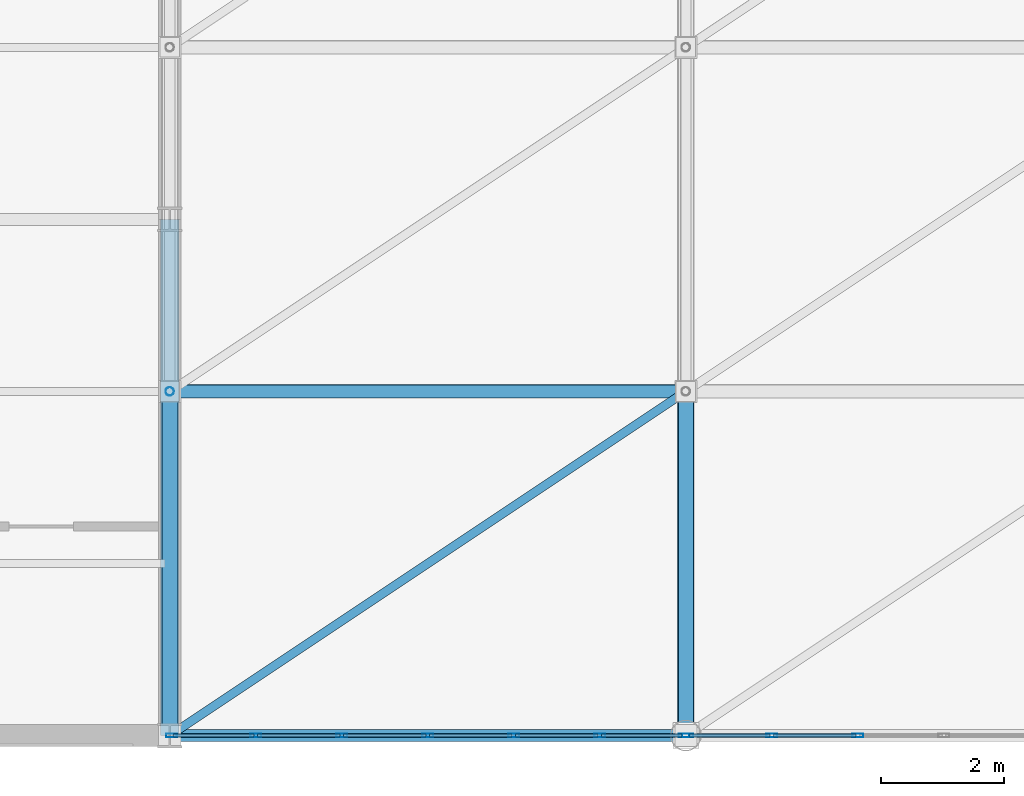
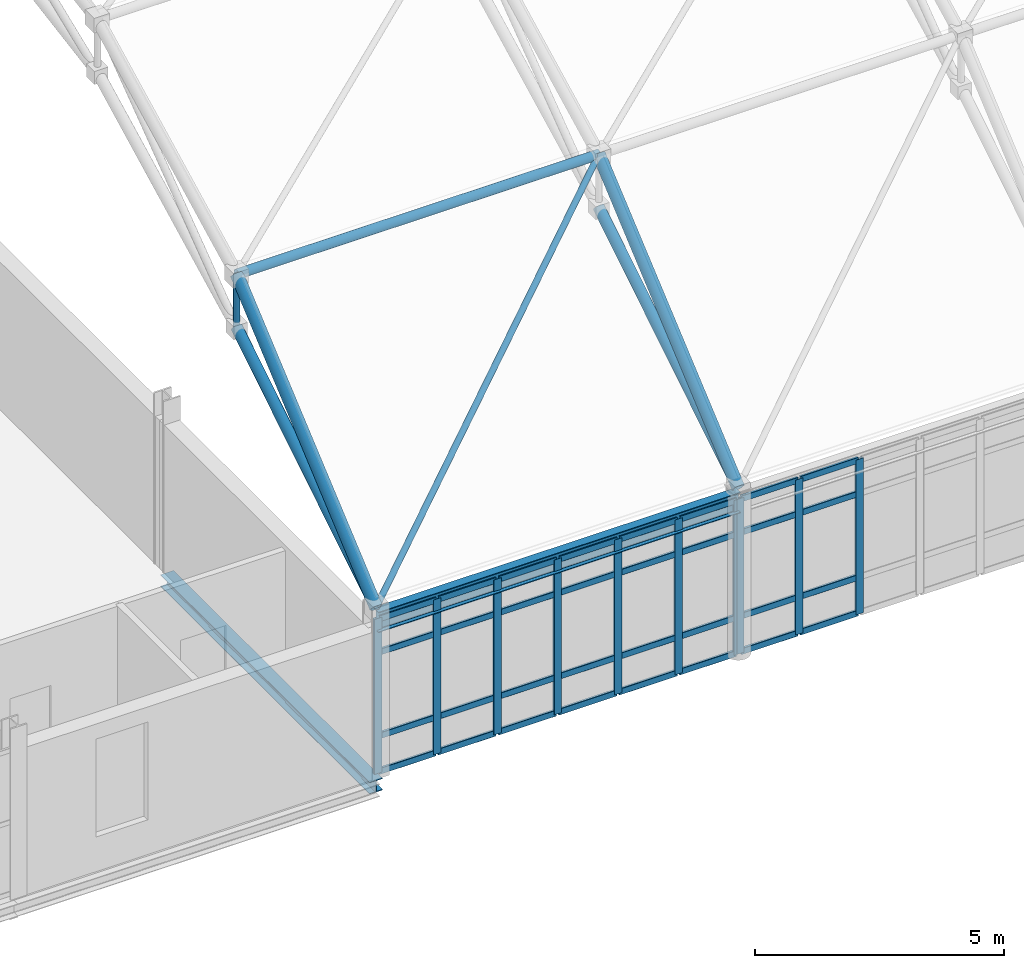
# One storey, part 33 of 184: 49 members, 2 beams, 2 elements without a shape of their own.
"""IFC4 building model written with IfcOpenShell, lengths in metres."""

import ifcopenshell
import ifcopenshell.guid

model = None  # the IFC model being written
_history = None  # IfcOwnerHistory: only IFC2X3 demands one
_inside = {}  # id of a spatial element -> (the spatial element, [elements in it])
_under = {}  # id of a project, library or spatial element -> (it, [spatial elements below it])
_declared = {}  # id of a project -> (the project, [libraries it declares])
_typed = {}  # id of a type object -> (the type object, [elements of that type])
_made_of = {}  # id of a material, layer set ... -> (it, [elements and type objects made of it])


def new_model(schema):
    """Start an empty IFC model of exactly this schema.

    Asked for "IFC4X3", IfcOpenShell would pick the latest addendum, in which some entities
    have other attributes; the version numbers below select the first issue.
    IFC2X3 requires an IfcOwnerHistory on every rooted entity: one is made here for all.
    """
    global model, _history
    if schema == "IFC4X3":
        model = ifcopenshell.file(schema_version=(4, 3, 0, 0))
    else:
        model = ifcopenshell.file(schema=schema)
    _inside.clear()
    _under.clear()
    _declared.clear()
    _typed.clear()
    _made_of.clear()
    _history = None
    if model.schema == "IFC2X3":
        org = make("IfcOrganization", Name="unknown")
        user = make(
            "IfcPersonAndOrganization",
            ThePerson=make("IfcPerson", FamilyName="unknown"),
            TheOrganization=org,
        )
        app = make(
            "IfcApplication",
            ApplicationDeveloper=org,
            Version="unknown",
            ApplicationFullName="unknown",
            ApplicationIdentifier="unknown",
        )
        _history = make(
            "IfcOwnerHistory",
            OwningUser=user,
            OwningApplication=app,
            ChangeAction="ADDED",
            CreationDate=0,
        )
    return model


def make(cls, **values):
    """One entity of the class cls with the attributes given. An attribute that is None is left unset."""
    return model.create_entity(
        cls, **{name: value for name, value in values.items() if value is not None}
    )


def rooted(cls, **values):
    """An entity with a GlobalId (a new one), such as an element, a storey or a relation."""
    return make(cls, GlobalId=ifcopenshell.guid.new(), OwnerHistory=_history, **values)


def si_unit(unit_type, name, prefix=None):
    """IfcSIUnit, for example si_unit("LENGTHUNIT", "METRE", prefix="MILLI")."""
    return make("IfcSIUnit", UnitType=unit_type, Prefix=prefix, Name=name)


def assignment(units):
    """IfcUnitAssignment: the units of a project."""
    return None if units is None else make("IfcUnitAssignment", Units=units)


def point(xyz):
    """IfcCartesianPoint."""
    return None if xyz is None else make("IfcCartesianPoint", Coordinates=xyz)


def direction(xyz):
    """IfcDirection."""
    return None if xyz is None else make("IfcDirection", DirectionRatios=xyz)


def frame(location, z_axis=None, x_axis=None):
    """IfcAxis2Placement3D, a coordinate frame: its origin and axes. An axis left out is left unset."""
    return make(
        "IfcAxis2Placement3D",
        Location=point(location),
        Axis=direction(z_axis),
        RefDirection=direction(x_axis),
    )


def frame_2d(location, x_axis=None):
    """IfcAxis2Placement2D, a coordinate frame in the plane: its origin and x axis."""
    return make(
        "IfcAxis2Placement2D", Location=point(location), RefDirection=direction(x_axis)
    )


def origin():
    """The frame at (0, 0, 0) with its axes left unset."""
    return frame((0.0, 0.0, 0.0))


def origin_2d():
    """The frame at (0, 0) in the plane with its x axis left unset."""
    return frame_2d((0.0, 0.0))


def place(relative_to, where):
    """IfcLocalPlacement: puts the frame where relative to a parent placement (None: the world)."""
    return make(
        "IfcLocalPlacement", PlacementRelTo=relative_to, RelativePlacement=where
    )


def context(
    kind, dimensions, precision=None, world=None, true_north=None, identifier=None
):
    """IfcGeometricRepresentationContext, for example the 3D "Model" context."""
    return make(
        "IfcGeometricRepresentationContext",
        ContextIdentifier=identifier,
        ContextType=kind,
        CoordinateSpaceDimension=dimensions,
        Precision=precision,
        WorldCoordinateSystem=world,
        TrueNorth=true_north,
    )


def subcontext(parent, identifier, kind, view, scale=None):
    """IfcGeometricRepresentationSubContext, for example "Body" below "Model"."""
    return make(
        "IfcGeometricRepresentationSubContext",
        ContextIdentifier=identifier,
        ContextType=kind,
        ParentContext=parent,
        TargetScale=scale,
        TargetView=view,
    )


def project(units=None, contexts=None):
    """IfcProject with its units and contexts."""
    return rooted(
        "IfcProject",
        Name="project",
        RepresentationContexts=contexts,
        UnitsInContext=assignment(units),
    )


def spatial(cls, under=None, at=None, **own):
    """A site, building, storey or space (cls), placed at a placement, below another one or the project."""
    s = rooted(cls, ObjectPlacement=at, **own)
    if under is not None:
        _under.setdefault(under.id(), (under, []))[1].append(s)
    return s


def profile(cls, at=None, kind="AREA", **sizes):
    """A parametric profile (cls). Its sizes go by their IFC names, for example OverallWidth=200.0."""
    return make(cls, ProfileType=kind, Position=at, **sizes)


def hollow_rectangle(**sizes):
    """IfcRectangleHollowProfileDef."""
    return profile("IfcRectangleHollowProfileDef", **sizes)


def hollow_circle(**sizes):
    """IfcCircleHollowProfileDef."""
    return profile("IfcCircleHollowProfileDef", **sizes)


def i_section(**sizes):
    """IfcIShapeProfileDef."""
    return profile("IfcIShapeProfileDef", **sizes)


def extrude(swept, where, along, depth):
    """IfcExtrudedAreaSolid: the profile swept, set in the frame where, extruded along a direction by depth."""
    return make(
        "IfcExtrudedAreaSolid",
        SweptArea=swept,
        Position=where,
        ExtrudedDirection=direction(along),
        Depth=depth,
    )


def shape(context_of_items, identifier, shape_type, items):
    """IfcShapeRepresentation: the items that make up one representation, for example the "Body"."""
    return make(
        "IfcShapeRepresentation",
        ContextOfItems=context_of_items,
        RepresentationIdentifier=identifier,
        RepresentationType=shape_type,
        Items=items,
    )


def material(Name=None, Category=None):
    """IfcMaterial."""
    return make("IfcMaterial", Name=Name, Category=Category)


def layer(
    of_material, thickness, ventilated=None, Name=None, Category=None, Priority=None
):
    """IfcMaterialLayer: one layer of a wall or slab, of a material (None: an air gap)."""
    return make(
        "IfcMaterialLayer",
        Material=of_material,
        LayerThickness=thickness,
        IsVentilated=ventilated,
        Name=Name,
        Category=Category,
        Priority=Priority,
    )


def layer_set(layers, Name=None):
    """IfcMaterialLayerSet."""
    return make("IfcMaterialLayerSet", MaterialLayers=layers, LayerSetName=Name)


def material_profile(
    of_material, cross_section, Name=None, Category=None, Priority=None
):
    """IfcMaterialProfile: a cross section and its material."""
    return make(
        "IfcMaterialProfile",
        Name=Name,
        Material=of_material,
        Profile=cross_section,
        Priority=Priority,
        Category=Category,
    )


def profile_set(profiles, Name=None, composite=None):
    """IfcMaterialProfileSet."""
    return make(
        "IfcMaterialProfileSet",
        Name=Name,
        MaterialProfiles=profiles,
        CompositeProfile=composite,
    )


def made_of(thing, what):
    """Note that an element or type object is made of a material, layer set ...; save() writes the relation."""
    if what is not None:
        _made_of.setdefault(what.id(), (what, []))[1].append(thing)
    return thing


def type_object(cls, material=None, **own):
    """A type object (cls), such as IfcWallType, which elements share."""
    return made_of(rooted(cls, **own), material)


def element(
    cls,
    number,
    at=None,
    inside=None,
    cuts=None,
    type_object=None,
    material=None,
    context=None,
    identifier="Body",
    shape_type=None,
    held_by="IfcProductDefinitionShape",
    body=None,
    shapes=None,
    **own,
):
    """One element of the class cls, such as IfcWall. Its Tag is "e" and its number.

    at: its placement. inside: the storey or other place that contains it. cuts: it is an
    opening in that element (IfcRelVoidsElement). A single representation is given by context,
    identifier, shape_type and body (its items); several are given by shapes. held_by: the class
    of the entity that holds the representations. save() writes the other relations.
    """
    e = rooted(cls, Tag="e%d" % number, ObjectPlacement=at, **own)
    if body is not None:
        shapes = [shape(context, identifier, shape_type, body)]
    if shapes is not None:
        e.Representation = make(held_by, Representations=shapes)
    if inside is not None:
        _inside.setdefault(inside.id(), (inside, []))[1].append(e)
    if cuts is not None:
        rooted(
            "IfcRelVoidsElement", RelatingBuildingElement=cuts, RelatedOpeningElement=e
        )
    if type_object is not None:
        _typed.setdefault(type_object.id(), (type_object, []))[1].append(e)
    return made_of(e, material)


def aggregate(whole, parts):
    """IfcRelAggregates: a whole, such as a stair, and the parts it consists of."""
    return rooted("IfcRelAggregates", RelatingObject=whole, RelatedObjects=parts)


def save(model, path):
    """Write the relations noted so far, then the file.

    IfcRelAggregates (storeys below a building ...), IfcRelContainedInSpatialStructure (elements
    in a storey), IfcRelDefinesByType, IfcRelAssociatesMaterial and IfcRelDeclares: one each for
    every whole, place, type object, material and project.
    """
    for whole, parts in _under.values():
        aggregate(whole, parts)
    for where, things in _inside.values():
        rooted(
            "IfcRelContainedInSpatialStructure",
            RelatedElements=things,
            RelatingStructure=where,
        )
    for kind, things in _typed.values():
        rooted("IfcRelDefinesByType", RelatedObjects=things, RelatingType=kind)
    for what, things in _made_of.values():
        rooted("IfcRelAssociatesMaterial", RelatedObjects=things, RelatingMaterial=what)
    for by, libraries in _declared.values():
        rooted("IfcRelDeclares", RelatingContext=by, RelatedDefinitions=libraries)
    model.write(path)


model = new_model("IFC4")

# Units and contexts
model_context = context("Model", 3, precision=1e-05, world=origin(), true_north=direction((0.0, 1.0)))
body_context = subcontext(model_context, "Body", "Model", "MODEL_VIEW")
ifc_project = project(units=[si_unit("LENGTHUNIT", "METRE"), si_unit("AREAUNIT", "SQUARE_METRE"), si_unit("VOLUMEUNIT", "CUBIC_METRE"), si_unit("PLANEANGLEUNIT", "RADIAN"), si_unit("MASSUNIT", "GRAM", prefix="KILO")], contexts=[model_context])

# Site, building, storey
site_placement = place(None, origin())
site = spatial("IfcSite", under=ifc_project, at=site_placement, CompositionType="ELEMENT")
building_placement = place(site_placement, origin())
building = spatial("IfcBuilding", under=site, at=building_placement, Name="Qalvenar Corner Mobility Hub", CompositionType="ELEMENT")
storey_placement = place(building_placement, frame((0.0, 0.0, 9.0)))
storey = spatial("IfcBuildingStorey", under=building, at=storey_placement, Name="L02", CompositionType="ELEMENT", Elevation=9.0)

# Beams
ifc_material_1 = material(Name="Steel S355", Category="steel")
ifc_material_profile_1 = material_profile(ifc_material_1, i_section(OverallWidth=0.199951171875, OverallDepth=0.5, WebThickness=0.01025390625, FlangeThickness=0.01611328125, FilletRadius=0.02099609375, at=origin_2d()), Name="IPE500")
ifc_profile_set_1 = profile_set([ifc_material_profile_1], Name="Steel S355")
beam_type_1 = type_object("IfcBeamType", Name="BM-IPE500", PredefinedType="BEAM", material=ifc_profile_set_1)
beam_1_placement = place(storey_placement, frame((50.39990234375, 0.0, 3.75), z_axis=(1.0, 0.0, 0.0), x_axis=(0.0, 1.0, 0.0)))
element("IfcBeam", 1, at=beam_1_placement, inside=storey, type_object=beam_type_1, Name="Space Frame Ring Beam SFRB-1-0", PredefinedType="BEAM", context=body_context, shape_type="SweptSolid", body=[
    extrude(i_section(OverallWidth=0.199951171875, OverallDepth=0.5, WebThickness=0.01025390625, FlangeThickness=0.01611328125, FilletRadius=0.02099609375, at=origin_2d()), origin(), (0.0, 0.0, 1.0), 8.400146484375),
])
ifc_material_profile_2 = material_profile(ifc_material_1, i_section(OverallWidth=0.300048828125, OverallDepth=0.2900390625, WebThickness=0.008544921875, FlangeThickness=0.013916015625, FilletRadius=0.027099609375, at=origin_2d()), Name="HEA300")
ifc_profile_set_2 = profile_set([ifc_material_profile_2], Name="Steel S355")
beam_type_2 = type_object("IfcBeamType", Name="BM-SPN300", PredefinedType="SPANDREL", material=ifc_profile_set_2)
beam_2_placement = place(storey_placement, frame((50.39990234375, 0.0, -0.324951171875), z_axis=(0.0, 1.0, 0.0), x_axis=(-1.0, 0.0, 0.0)))
element("IfcBeam", 2, at=beam_2_placement, inside=storey, type_object=beam_type_2, Name="Primary Steel Girder GY-1607", PredefinedType="SPANDREL", context=body_context, shape_type="SweptSolid", body=[
    extrude(i_section(OverallWidth=0.300048828125, OverallDepth=0.2900390625, WebThickness=0.008544921875, FlangeThickness=0.013916015625, FilletRadius=0.027099609375, at=origin_2d()), origin(), (0.0, 0.0, 1.0), 8.39990234375),
])

# Curtain wall, members
ifc_material_2 = material(Name="Anodised Aluminium and Low-E Glazing", Category="aluminium")
ifc_layer = layer(ifc_material_2, 0.179931640625)
ifc_layer_set = layer_set([ifc_layer], Name="Anodised Aluminium and Low-E Glazing")
curtain_wall_type = type_object("IfcCurtainWallType", Name="CW-CONC-84X42", PredefinedType="NOTDEFINED", material=ifc_layer_set)
curtain_wall_1_placement = place(storey_placement, origin())
curtain_wall_1 = element("IfcCurtainWall", 3, at=curtain_wall_1_placement, inside=storey, type_object=curtain_wall_type, Name="Glazed Curtain Wall CW-V1-L02-S0", PredefinedType="NOTDEFINED")
ifc_material_3 = material(Name="Anodised Aluminium 6063-T6", Category="aluminium")
ifc_material_profile_3 = material_profile(ifc_material_3, hollow_rectangle(XDim=0.06494140625, YDim=0.179931640625, WallThickness=0.00390625, InnerFilletRadius=0.00390625, OuterFilletRadius=0.008056640625, at=origin_2d()), Name="RHS180x65x4")
ifc_profile_set_3 = profile_set([ifc_material_profile_3], Name="Anodised Aluminium 6063-T6")
member_type_1 = type_object("IfcMemberType", Name="CW-MUL180", PredefinedType="MULLION", material=ifc_profile_set_3)
member_1_placement = place(storey_placement, frame((50.429931640625, 0.0, 0.0), z_axis=(0.0, 0.0, 1.0), x_axis=(0.0, 1.0, 0.0)))
member_1 = element("IfcMember", 4, at=member_1_placement, type_object=member_type_1, Name="CW-02 mullion 1", PredefinedType="MULLION", context=body_context, shape_type="SweptSolid", body=[
    extrude(hollow_rectangle(XDim=0.06494140625, YDim=0.179931640625, WallThickness=0.00390625, InnerFilletRadius=0.00390625, OuterFilletRadius=0.008056640625, at=origin_2d()), origin(), (0.0, 0.0, 1.0), 3.800048828125),
])
member_2_placement = place(storey_placement, frame((51.800048828125, 0.0, 0.0), z_axis=(0.0, 0.0, 1.0), x_axis=(0.0, 1.0, 0.0)))
member_2 = element("IfcMember", 5, at=member_2_placement, type_object=member_type_1, Name="CW-02 mullion 2", PredefinedType="MULLION", context=body_context, shape_type="SweptSolid", body=[
    extrude(hollow_rectangle(XDim=0.06494140625, YDim=0.179931640625, WallThickness=0.00390625, InnerFilletRadius=0.00390625, OuterFilletRadius=0.008056640625, at=origin_2d()), origin(), (0.0, 0.0, 1.0), 3.800048828125),
])
member_3_placement = place(storey_placement, frame((53.199951171875, 0.0, 0.0), z_axis=(0.0, 0.0, 1.0), x_axis=(0.0, 1.0, 0.0)))
member_3 = element("IfcMember", 6, at=member_3_placement, type_object=member_type_1, Name="CW-02 mullion 3", PredefinedType="MULLION", context=body_context, shape_type="SweptSolid", body=[
    extrude(hollow_rectangle(XDim=0.06494140625, YDim=0.179931640625, WallThickness=0.00390625, InnerFilletRadius=0.00390625, OuterFilletRadius=0.008056640625, at=origin_2d()), origin(), (0.0, 0.0, 1.0), 3.800048828125),
])
member_4_placement = place(storey_placement, frame((54.60009765625, 0.0, 0.0), z_axis=(0.0, 0.0, 1.0), x_axis=(0.0, 1.0, 0.0)))
member_4 = element("IfcMember", 7, at=member_4_placement, type_object=member_type_1, Name="CW-02 mullion 4", PredefinedType="MULLION", context=body_context, shape_type="SweptSolid", body=[
    extrude(hollow_rectangle(XDim=0.06494140625, YDim=0.179931640625, WallThickness=0.00390625, InnerFilletRadius=0.00390625, OuterFilletRadius=0.008056640625, at=origin_2d()), origin(), (0.0, 0.0, 1.0), 3.800048828125),
])
member_5_placement = place(storey_placement, frame((56.0, 0.0, 0.0), z_axis=(0.0, 0.0, 1.0), x_axis=(0.0, 1.0, 0.0)))
member_5 = element("IfcMember", 8, at=member_5_placement, type_object=member_type_1, Name="CW-02 mullion 5", PredefinedType="MULLION", context=body_context, shape_type="SweptSolid", body=[
    extrude(hollow_rectangle(XDim=0.06494140625, YDim=0.179931640625, WallThickness=0.00390625, InnerFilletRadius=0.00390625, OuterFilletRadius=0.008056640625, at=origin_2d()), origin(), (0.0, 0.0, 1.0), 3.800048828125),
])
member_6_placement = place(storey_placement, frame((57.39990234375, 0.0, 0.0), z_axis=(0.0, 0.0, 1.0), x_axis=(0.0, 1.0, 0.0)))
member_6 = element("IfcMember", 9, at=member_6_placement, type_object=member_type_1, Name="CW-02 mullion 6", PredefinedType="MULLION", context=body_context, shape_type="SweptSolid", body=[
    extrude(hollow_rectangle(XDim=0.06494140625, YDim=0.179931640625, WallThickness=0.00390625, InnerFilletRadius=0.00390625, OuterFilletRadius=0.008056640625, at=origin_2d()), origin(), (0.0, 0.0, 1.0), 3.800048828125),
])
member_7_placement = place(storey_placement, frame((58.77001953125, 0.0, 0.0), z_axis=(0.0, 0.0, 1.0), x_axis=(0.0, 1.0, 0.0)))
member_7 = element("IfcMember", 10, at=member_7_placement, type_object=member_type_1, Name="CW-02 mullion 7", PredefinedType="MULLION", context=body_context, shape_type="SweptSolid", body=[
    extrude(hollow_rectangle(XDim=0.06494140625, YDim=0.179931640625, WallThickness=0.00390625, InnerFilletRadius=0.00390625, OuterFilletRadius=0.008056640625, at=origin_2d()), origin(), (0.0, 0.0, 1.0), 3.800048828125),
])

curtain_wall_2_placement = place(storey_placement, origin())
curtain_wall_2 = element("IfcCurtainWall", 11, at=curtain_wall_2_placement, inside=storey, type_object=curtain_wall_type, Name="Glazed Curtain Wall CW-V1-L02-S1", PredefinedType="NOTDEFINED")
member_8_placement = place(storey_placement, frame((58.830078125, 0.0, 0.0), z_axis=(0.0, 0.0, 1.0), x_axis=(0.0, 1.0, 0.0)))
member_8 = element("IfcMember", 12, at=member_8_placement, type_object=member_type_1, Name="CW-02 mullion 1", PredefinedType="MULLION", context=body_context, shape_type="SweptSolid", body=[
    extrude(hollow_rectangle(XDim=0.06494140625, YDim=0.179931640625, WallThickness=0.00390625, InnerFilletRadius=0.00390625, OuterFilletRadius=0.008056640625, at=origin_2d()), origin(), (0.0, 0.0, 1.0), 3.800048828125),
])
member_9_placement = place(storey_placement, frame((60.199951171875, 0.0, 0.0), z_axis=(0.0, 0.0, 1.0), x_axis=(0.0, 1.0, 0.0)))
member_9 = element("IfcMember", 13, at=member_9_placement, type_object=member_type_1, Name="CW-02 mullion 2", PredefinedType="MULLION", context=body_context, shape_type="SweptSolid", body=[
    extrude(hollow_rectangle(XDim=0.06494140625, YDim=0.179931640625, WallThickness=0.00390625, InnerFilletRadius=0.00390625, OuterFilletRadius=0.008056640625, at=origin_2d()), origin(), (0.0, 0.0, 1.0), 3.800048828125),
])
member_10_placement = place(storey_placement, frame((61.60009765625, 0.0, 0.0), z_axis=(0.0, 0.0, 1.0), x_axis=(0.0, 1.0, 0.0)))
member_10 = element("IfcMember", 14, at=member_10_placement, type_object=member_type_1, Name="CW-02 mullion 3", PredefinedType="MULLION", context=body_context, shape_type="SweptSolid", body=[
    extrude(hollow_rectangle(XDim=0.06494140625, YDim=0.179931640625, WallThickness=0.00390625, InnerFilletRadius=0.00390625, OuterFilletRadius=0.008056640625, at=origin_2d()), origin(), (0.0, 0.0, 1.0), 3.800048828125),
])

# Member
ifc_material_profile_4 = material_profile(ifc_material_3, hollow_rectangle(XDim=0.06005859375, YDim=0.14990234375, WallThickness=0.00341796875, InnerFilletRadius=0.00341796875, OuterFilletRadius=0.007080078125, at=origin_2d()), Name="RHS150x60x3.5")
ifc_profile_set_4 = profile_set([ifc_material_profile_4], Name="Anodised Aluminium 6063-T6")
member_type_2 = type_object("IfcMemberType", Name="CW-TRN150", PredefinedType="USERDEFINED", material=ifc_profile_set_4)
member_11_placement = place(storey_placement, frame((50.4599609375, 0.0, 0.027587890625), z_axis=(1.0, 0.0, 0.0), x_axis=(0.0, 1.0, 0.0)))
member_11 = element("IfcMember", 15, at=member_11_placement, type_object=member_type_2, Name="CW-02 transom 1.1", ObjectType="TRANSOM", PredefinedType="USERDEFINED", context=body_context, shape_type="SweptSolid", body=[
    extrude(hollow_rectangle(XDim=0.06005859375, YDim=0.14990234375, WallThickness=0.00341796875, InnerFilletRadius=0.00341796875, OuterFilletRadius=0.007080078125, at=origin_2d()), origin(), (0.0, 0.0, 1.0), 1.31005859375),
])

member_12_placement = place(storey_placement, frame((50.4599609375, 0.0, 0.89990234375), z_axis=(1.0, 0.0, 0.0), x_axis=(0.0, 1.0, 0.0)))
member_12 = element("IfcMember", 16, at=member_12_placement, type_object=member_type_2, Name="CW-02 transom 1.2", ObjectType="TRANSOM", PredefinedType="USERDEFINED", context=body_context, shape_type="SweptSolid", body=[
    extrude(hollow_rectangle(XDim=0.06005859375, YDim=0.14990234375, WallThickness=0.00341796875, InnerFilletRadius=0.00341796875, OuterFilletRadius=0.007080078125, at=origin_2d()), origin(), (0.0, 0.0, 1.0), 1.31005859375),
])

member_13_placement = place(storey_placement, frame((50.4599609375, 0.0, 2.949951171875), z_axis=(1.0, 0.0, 0.0), x_axis=(0.0, 1.0, 0.0)))
member_13 = element("IfcMember", 17, at=member_13_placement, type_object=member_type_2, Name="CW-02 transom 1.3", ObjectType="TRANSOM", PredefinedType="USERDEFINED", context=body_context, shape_type="SweptSolid", body=[
    extrude(hollow_rectangle(XDim=0.06005859375, YDim=0.14990234375, WallThickness=0.00341796875, InnerFilletRadius=0.00341796875, OuterFilletRadius=0.007080078125, at=origin_2d()), origin(), (0.0, 0.0, 1.0), 1.31005859375),
])

member_14_placement = place(storey_placement, frame((50.4599609375, 0.0, 3.7724609375), z_axis=(1.0, 0.0, 0.0), x_axis=(0.0, 1.0, 0.0)))
member_14 = element("IfcMember", 18, at=member_14_placement, type_object=member_type_2, Name="CW-02 transom 1.4", ObjectType="TRANSOM", PredefinedType="USERDEFINED", context=body_context, shape_type="SweptSolid", body=[
    extrude(hollow_rectangle(XDim=0.06005859375, YDim=0.14990234375, WallThickness=0.00341796875, InnerFilletRadius=0.00341796875, OuterFilletRadius=0.007080078125, at=origin_2d()), origin(), (0.0, 0.0, 1.0), 1.31005859375),
])

member_15_placement = place(storey_placement, frame((51.830078125, 0.0, 0.027587890625), z_axis=(1.0, 0.0, 0.0), x_axis=(0.0, 1.0, 0.0)))
member_15 = element("IfcMember", 19, at=member_15_placement, type_object=member_type_2, Name="CW-02 transom 2.1", ObjectType="TRANSOM", PredefinedType="USERDEFINED", context=body_context, shape_type="SweptSolid", body=[
    extrude(hollow_rectangle(XDim=0.06005859375, YDim=0.14990234375, WallThickness=0.00341796875, InnerFilletRadius=0.00341796875, OuterFilletRadius=0.007080078125, at=origin_2d()), origin(), (0.0, 0.0, 1.0), 1.33984375),
])

member_16_placement = place(storey_placement, frame((51.830078125, 0.0, 0.89990234375), z_axis=(1.0, 0.0, 0.0), x_axis=(0.0, 1.0, 0.0)))
member_16 = element("IfcMember", 20, at=member_16_placement, type_object=member_type_2, Name="CW-02 transom 2.2", ObjectType="TRANSOM", PredefinedType="USERDEFINED", context=body_context, shape_type="SweptSolid", body=[
    extrude(hollow_rectangle(XDim=0.06005859375, YDim=0.14990234375, WallThickness=0.00341796875, InnerFilletRadius=0.00341796875, OuterFilletRadius=0.007080078125, at=origin_2d()), origin(), (0.0, 0.0, 1.0), 1.33984375),
])

member_17_placement = place(storey_placement, frame((51.830078125, 0.0, 2.949951171875), z_axis=(1.0, 0.0, 0.0), x_axis=(0.0, 1.0, 0.0)))
member_17 = element("IfcMember", 21, at=member_17_placement, type_object=member_type_2, Name="CW-02 transom 2.3", ObjectType="TRANSOM", PredefinedType="USERDEFINED", context=body_context, shape_type="SweptSolid", body=[
    extrude(hollow_rectangle(XDim=0.06005859375, YDim=0.14990234375, WallThickness=0.00341796875, InnerFilletRadius=0.00341796875, OuterFilletRadius=0.007080078125, at=origin_2d()), origin(), (0.0, 0.0, 1.0), 1.33984375),
])

member_18_placement = place(storey_placement, frame((51.830078125, 0.0, 3.7724609375), z_axis=(1.0, 0.0, 0.0), x_axis=(0.0, 1.0, 0.0)))
member_18 = element("IfcMember", 22, at=member_18_placement, type_object=member_type_2, Name="CW-02 transom 2.4", ObjectType="TRANSOM", PredefinedType="USERDEFINED", context=body_context, shape_type="SweptSolid", body=[
    extrude(hollow_rectangle(XDim=0.06005859375, YDim=0.14990234375, WallThickness=0.00341796875, InnerFilletRadius=0.00341796875, OuterFilletRadius=0.007080078125, at=origin_2d()), origin(), (0.0, 0.0, 1.0), 1.33984375),
])

member_19_placement = place(storey_placement, frame((53.22998046875, 0.0, 0.027587890625), z_axis=(1.0, 0.0, 0.0), x_axis=(0.0, 1.0, 0.0)))
member_19 = element("IfcMember", 23, at=member_19_placement, type_object=member_type_2, Name="CW-02 transom 3.1", ObjectType="TRANSOM", PredefinedType="USERDEFINED", context=body_context, shape_type="SweptSolid", body=[
    extrude(hollow_rectangle(XDim=0.06005859375, YDim=0.14990234375, WallThickness=0.00341796875, InnerFilletRadius=0.00341796875, OuterFilletRadius=0.007080078125, at=origin_2d()), origin(), (0.0, 0.0, 1.0), 1.340087890625),
])

member_20_placement = place(storey_placement, frame((53.22998046875, 0.0, 0.89990234375), z_axis=(1.0, 0.0, 0.0), x_axis=(0.0, 1.0, 0.0)))
member_20 = element("IfcMember", 24, at=member_20_placement, type_object=member_type_2, Name="CW-02 transom 3.2", ObjectType="TRANSOM", PredefinedType="USERDEFINED", context=body_context, shape_type="SweptSolid", body=[
    extrude(hollow_rectangle(XDim=0.06005859375, YDim=0.14990234375, WallThickness=0.00341796875, InnerFilletRadius=0.00341796875, OuterFilletRadius=0.007080078125, at=origin_2d()), origin(), (0.0, 0.0, 1.0), 1.340087890625),
])

member_21_placement = place(storey_placement, frame((53.22998046875, 0.0, 2.949951171875), z_axis=(1.0, 0.0, 0.0), x_axis=(0.0, 1.0, 0.0)))
member_21 = element("IfcMember", 25, at=member_21_placement, type_object=member_type_2, Name="CW-02 transom 3.3", ObjectType="TRANSOM", PredefinedType="USERDEFINED", context=body_context, shape_type="SweptSolid", body=[
    extrude(hollow_rectangle(XDim=0.06005859375, YDim=0.14990234375, WallThickness=0.00341796875, InnerFilletRadius=0.00341796875, OuterFilletRadius=0.007080078125, at=origin_2d()), origin(), (0.0, 0.0, 1.0), 1.340087890625),
])

member_22_placement = place(storey_placement, frame((53.22998046875, 0.0, 3.7724609375), z_axis=(1.0, 0.0, 0.0), x_axis=(0.0, 1.0, 0.0)))
member_22 = element("IfcMember", 26, at=member_22_placement, type_object=member_type_2, Name="CW-02 transom 3.4", ObjectType="TRANSOM", PredefinedType="USERDEFINED", context=body_context, shape_type="SweptSolid", body=[
    extrude(hollow_rectangle(XDim=0.06005859375, YDim=0.14990234375, WallThickness=0.00341796875, InnerFilletRadius=0.00341796875, OuterFilletRadius=0.007080078125, at=origin_2d()), origin(), (0.0, 0.0, 1.0), 1.340087890625),
])

member_23_placement = place(storey_placement, frame((54.6298828125, 0.0, 0.027587890625), z_axis=(1.0, 0.0, 0.0), x_axis=(0.0, 1.0, 0.0)))
member_23 = element("IfcMember", 27, at=member_23_placement, type_object=member_type_2, Name="CW-02 transom 4.1", ObjectType="TRANSOM", PredefinedType="USERDEFINED", context=body_context, shape_type="SweptSolid", body=[
    extrude(hollow_rectangle(XDim=0.06005859375, YDim=0.14990234375, WallThickness=0.00341796875, InnerFilletRadius=0.00341796875, OuterFilletRadius=0.007080078125, at=origin_2d()), origin(), (0.0, 0.0, 1.0), 1.340087890625),
])

member_24_placement = place(storey_placement, frame((54.6298828125, 0.0, 0.89990234375), z_axis=(1.0, 0.0, 0.0), x_axis=(0.0, 1.0, 0.0)))
member_24 = element("IfcMember", 28, at=member_24_placement, type_object=member_type_2, Name="CW-02 transom 4.2", ObjectType="TRANSOM", PredefinedType="USERDEFINED", context=body_context, shape_type="SweptSolid", body=[
    extrude(hollow_rectangle(XDim=0.06005859375, YDim=0.14990234375, WallThickness=0.00341796875, InnerFilletRadius=0.00341796875, OuterFilletRadius=0.007080078125, at=origin_2d()), origin(), (0.0, 0.0, 1.0), 1.340087890625),
])

member_25_placement = place(storey_placement, frame((54.6298828125, 0.0, 2.949951171875), z_axis=(1.0, 0.0, 0.0), x_axis=(0.0, 1.0, 0.0)))
member_25 = element("IfcMember", 29, at=member_25_placement, type_object=member_type_2, Name="CW-02 transom 4.3", ObjectType="TRANSOM", PredefinedType="USERDEFINED", context=body_context, shape_type="SweptSolid", body=[
    extrude(hollow_rectangle(XDim=0.06005859375, YDim=0.14990234375, WallThickness=0.00341796875, InnerFilletRadius=0.00341796875, OuterFilletRadius=0.007080078125, at=origin_2d()), origin(), (0.0, 0.0, 1.0), 1.340087890625),
])

member_26_placement = place(storey_placement, frame((54.6298828125, 0.0, 3.7724609375), z_axis=(1.0, 0.0, 0.0), x_axis=(0.0, 1.0, 0.0)))
member_26 = element("IfcMember", 30, at=member_26_placement, type_object=member_type_2, Name="CW-02 transom 4.4", ObjectType="TRANSOM", PredefinedType="USERDEFINED", context=body_context, shape_type="SweptSolid", body=[
    extrude(hollow_rectangle(XDim=0.06005859375, YDim=0.14990234375, WallThickness=0.00341796875, InnerFilletRadius=0.00341796875, OuterFilletRadius=0.007080078125, at=origin_2d()), origin(), (0.0, 0.0, 1.0), 1.340087890625),
])

member_27_placement = place(storey_placement, frame((56.030029296875, 0.0, 0.027587890625), z_axis=(1.0, 0.0, 0.0), x_axis=(0.0, 1.0, 0.0)))
member_27 = element("IfcMember", 31, at=member_27_placement, type_object=member_type_2, Name="CW-02 transom 5.1", ObjectType="TRANSOM", PredefinedType="USERDEFINED", context=body_context, shape_type="SweptSolid", body=[
    extrude(hollow_rectangle(XDim=0.06005859375, YDim=0.14990234375, WallThickness=0.00341796875, InnerFilletRadius=0.00341796875, OuterFilletRadius=0.007080078125, at=origin_2d()), origin(), (0.0, 0.0, 1.0), 1.340087890625),
])

member_28_placement = place(storey_placement, frame((56.030029296875, 0.0, 0.89990234375), z_axis=(1.0, 0.0, 0.0), x_axis=(0.0, 1.0, 0.0)))
member_28 = element("IfcMember", 32, at=member_28_placement, type_object=member_type_2, Name="CW-02 transom 5.2", ObjectType="TRANSOM", PredefinedType="USERDEFINED", context=body_context, shape_type="SweptSolid", body=[
    extrude(hollow_rectangle(XDim=0.06005859375, YDim=0.14990234375, WallThickness=0.00341796875, InnerFilletRadius=0.00341796875, OuterFilletRadius=0.007080078125, at=origin_2d()), origin(), (0.0, 0.0, 1.0), 1.340087890625),
])

member_29_placement = place(storey_placement, frame((56.030029296875, 0.0, 2.949951171875), z_axis=(1.0, 0.0, 0.0), x_axis=(0.0, 1.0, 0.0)))
member_29 = element("IfcMember", 33, at=member_29_placement, type_object=member_type_2, Name="CW-02 transom 5.3", ObjectType="TRANSOM", PredefinedType="USERDEFINED", context=body_context, shape_type="SweptSolid", body=[
    extrude(hollow_rectangle(XDim=0.06005859375, YDim=0.14990234375, WallThickness=0.00341796875, InnerFilletRadius=0.00341796875, OuterFilletRadius=0.007080078125, at=origin_2d()), origin(), (0.0, 0.0, 1.0), 1.340087890625),
])

member_30_placement = place(storey_placement, frame((56.030029296875, 0.0, 3.7724609375), z_axis=(1.0, 0.0, 0.0), x_axis=(0.0, 1.0, 0.0)))
member_30 = element("IfcMember", 34, at=member_30_placement, type_object=member_type_2, Name="CW-02 transom 5.4", ObjectType="TRANSOM", PredefinedType="USERDEFINED", context=body_context, shape_type="SweptSolid", body=[
    extrude(hollow_rectangle(XDim=0.06005859375, YDim=0.14990234375, WallThickness=0.00341796875, InnerFilletRadius=0.00341796875, OuterFilletRadius=0.007080078125, at=origin_2d()), origin(), (0.0, 0.0, 1.0), 1.340087890625),
])

member_31_placement = place(storey_placement, frame((57.429931640625, 0.0, 0.027587890625), z_axis=(1.0, 0.0, 0.0), x_axis=(0.0, 1.0, 0.0)))
member_31 = element("IfcMember", 35, at=member_31_placement, type_object=member_type_2, Name="CW-02 transom 6.1", ObjectType="TRANSOM", PredefinedType="USERDEFINED", context=body_context, shape_type="SweptSolid", body=[
    extrude(hollow_rectangle(XDim=0.06005859375, YDim=0.14990234375, WallThickness=0.00341796875, InnerFilletRadius=0.00341796875, OuterFilletRadius=0.007080078125, at=origin_2d()), origin(), (0.0, 0.0, 1.0), 1.31005859375),
])

member_32_placement = place(storey_placement, frame((57.429931640625, 0.0, 0.89990234375), z_axis=(1.0, 0.0, 0.0), x_axis=(0.0, 1.0, 0.0)))
member_32 = element("IfcMember", 36, at=member_32_placement, type_object=member_type_2, Name="CW-02 transom 6.2", ObjectType="TRANSOM", PredefinedType="USERDEFINED", context=body_context, shape_type="SweptSolid", body=[
    extrude(hollow_rectangle(XDim=0.06005859375, YDim=0.14990234375, WallThickness=0.00341796875, InnerFilletRadius=0.00341796875, OuterFilletRadius=0.007080078125, at=origin_2d()), origin(), (0.0, 0.0, 1.0), 1.31005859375),
])

member_33_placement = place(storey_placement, frame((57.429931640625, 0.0, 2.949951171875), z_axis=(1.0, 0.0, 0.0), x_axis=(0.0, 1.0, 0.0)))
member_33 = element("IfcMember", 37, at=member_33_placement, type_object=member_type_2, Name="CW-02 transom 6.3", ObjectType="TRANSOM", PredefinedType="USERDEFINED", context=body_context, shape_type="SweptSolid", body=[
    extrude(hollow_rectangle(XDim=0.06005859375, YDim=0.14990234375, WallThickness=0.00341796875, InnerFilletRadius=0.00341796875, OuterFilletRadius=0.007080078125, at=origin_2d()), origin(), (0.0, 0.0, 1.0), 1.31005859375),
])

member_34_placement = place(storey_placement, frame((57.429931640625, 0.0, 3.7724609375), z_axis=(1.0, 0.0, 0.0), x_axis=(0.0, 1.0, 0.0)))
member_34 = element("IfcMember", 38, at=member_34_placement, type_object=member_type_2, Name="CW-02 transom 6.4", ObjectType="TRANSOM", PredefinedType="USERDEFINED", context=body_context, shape_type="SweptSolid", body=[
    extrude(hollow_rectangle(XDim=0.06005859375, YDim=0.14990234375, WallThickness=0.00341796875, InnerFilletRadius=0.00341796875, OuterFilletRadius=0.007080078125, at=origin_2d()), origin(), (0.0, 0.0, 1.0), 1.31005859375),
])

aggregate(curtain_wall_1, [member_1, member_2, member_3, member_4, member_5, member_6, member_7, member_11, member_12, member_13, member_14, member_15, member_16, member_17, member_18, member_19, member_20, member_21, member_22, member_23, member_24, member_25, member_26, member_27, member_28, member_29, member_30, member_31, member_32, member_33, member_34])

member_35_placement = place(storey_placement, frame((58.860107421875, 0.0, 0.027587890625), z_axis=(1.0, 0.0, 0.0), x_axis=(0.0, 1.0, 0.0)))
member_35 = element("IfcMember", 39, at=member_35_placement, type_object=member_type_2, Name="CW-02 transom 1.1", ObjectType="TRANSOM", PredefinedType="USERDEFINED", context=body_context, shape_type="SweptSolid", body=[
    extrude(hollow_rectangle(XDim=0.06005859375, YDim=0.14990234375, WallThickness=0.00341796875, InnerFilletRadius=0.00341796875, OuterFilletRadius=0.007080078125, at=origin_2d()), origin(), (0.0, 0.0, 1.0), 1.309814453125),
])

member_36_placement = place(storey_placement, frame((58.860107421875, 0.0, 0.89990234375), z_axis=(1.0, 0.0, 0.0), x_axis=(0.0, 1.0, 0.0)))
member_36 = element("IfcMember", 40, at=member_36_placement, type_object=member_type_2, Name="CW-02 transom 1.2", ObjectType="TRANSOM", PredefinedType="USERDEFINED", context=body_context, shape_type="SweptSolid", body=[
    extrude(hollow_rectangle(XDim=0.06005859375, YDim=0.14990234375, WallThickness=0.00341796875, InnerFilletRadius=0.00341796875, OuterFilletRadius=0.007080078125, at=origin_2d()), origin(), (0.0, 0.0, 1.0), 1.309814453125),
])

member_37_placement = place(storey_placement, frame((58.860107421875, 0.0, 2.949951171875), z_axis=(1.0, 0.0, 0.0), x_axis=(0.0, 1.0, 0.0)))
member_37 = element("IfcMember", 41, at=member_37_placement, type_object=member_type_2, Name="CW-02 transom 1.3", ObjectType="TRANSOM", PredefinedType="USERDEFINED", context=body_context, shape_type="SweptSolid", body=[
    extrude(hollow_rectangle(XDim=0.06005859375, YDim=0.14990234375, WallThickness=0.00341796875, InnerFilletRadius=0.00341796875, OuterFilletRadius=0.007080078125, at=origin_2d()), origin(), (0.0, 0.0, 1.0), 1.309814453125),
])

member_38_placement = place(storey_placement, frame((58.860107421875, 0.0, 3.7724609375), z_axis=(1.0, 0.0, 0.0), x_axis=(0.0, 1.0, 0.0)))
member_38 = element("IfcMember", 42, at=member_38_placement, type_object=member_type_2, Name="CW-02 transom 1.4", ObjectType="TRANSOM", PredefinedType="USERDEFINED", context=body_context, shape_type="SweptSolid", body=[
    extrude(hollow_rectangle(XDim=0.06005859375, YDim=0.14990234375, WallThickness=0.00341796875, InnerFilletRadius=0.00341796875, OuterFilletRadius=0.007080078125, at=origin_2d()), origin(), (0.0, 0.0, 1.0), 1.309814453125),
])

member_39_placement = place(storey_placement, frame((60.22998046875, 0.0, 0.027587890625), z_axis=(1.0, 0.0, 0.0), x_axis=(0.0, 1.0, 0.0)))
member_39 = element("IfcMember", 43, at=member_39_placement, type_object=member_type_2, Name="CW-02 transom 2.1", ObjectType="TRANSOM", PredefinedType="USERDEFINED", context=body_context, shape_type="SweptSolid", body=[
    extrude(hollow_rectangle(XDim=0.06005859375, YDim=0.14990234375, WallThickness=0.00341796875, InnerFilletRadius=0.00341796875, OuterFilletRadius=0.007080078125, at=origin_2d()), origin(), (0.0, 0.0, 1.0), 1.340087890625),
])

member_40_placement = place(storey_placement, frame((60.22998046875, 0.0, 0.89990234375), z_axis=(1.0, 0.0, 0.0), x_axis=(0.0, 1.0, 0.0)))
member_40 = element("IfcMember", 44, at=member_40_placement, type_object=member_type_2, Name="CW-02 transom 2.2", ObjectType="TRANSOM", PredefinedType="USERDEFINED", context=body_context, shape_type="SweptSolid", body=[
    extrude(hollow_rectangle(XDim=0.06005859375, YDim=0.14990234375, WallThickness=0.00341796875, InnerFilletRadius=0.00341796875, OuterFilletRadius=0.007080078125, at=origin_2d()), origin(), (0.0, 0.0, 1.0), 1.340087890625),
])

member_41_placement = place(storey_placement, frame((60.22998046875, 0.0, 2.949951171875), z_axis=(1.0, 0.0, 0.0), x_axis=(0.0, 1.0, 0.0)))
member_41 = element("IfcMember", 45, at=member_41_placement, type_object=member_type_2, Name="CW-02 transom 2.3", ObjectType="TRANSOM", PredefinedType="USERDEFINED", context=body_context, shape_type="SweptSolid", body=[
    extrude(hollow_rectangle(XDim=0.06005859375, YDim=0.14990234375, WallThickness=0.00341796875, InnerFilletRadius=0.00341796875, OuterFilletRadius=0.007080078125, at=origin_2d()), origin(), (0.0, 0.0, 1.0), 1.340087890625),
])

member_42_placement = place(storey_placement, frame((60.22998046875, 0.0, 3.7724609375), z_axis=(1.0, 0.0, 0.0), x_axis=(0.0, 1.0, 0.0)))
member_42 = element("IfcMember", 46, at=member_42_placement, type_object=member_type_2, Name="CW-02 transom 2.4", ObjectType="TRANSOM", PredefinedType="USERDEFINED", context=body_context, shape_type="SweptSolid", body=[
    extrude(hollow_rectangle(XDim=0.06005859375, YDim=0.14990234375, WallThickness=0.00341796875, InnerFilletRadius=0.00341796875, OuterFilletRadius=0.007080078125, at=origin_2d()), origin(), (0.0, 0.0, 1.0), 1.340087890625),
])

aggregate(curtain_wall_2, [member_8, member_9, member_10, member_35, member_36, member_37, member_38, member_39, member_40, member_41, member_42])

# Members
ifc_material_4 = material(Name="Steel S355", Category="steel")
ifc_material_profile_5 = material_profile(ifc_material_4, hollow_circle(Radius=0.109619140625, WallThickness=0.008056640625, at=origin_2d()), Name="CHS219.1x8")
ifc_profile_set_5 = profile_set([ifc_material_profile_5], Name="Steel S355")
member_type_3 = type_object("IfcMemberType", Name="SF-CHD219", PredefinedType="CHORD", material=ifc_profile_set_5)
member_43_placement = place(storey_placement, frame((50.39990234375, 5.60009765625, 8.837890625), z_axis=(1.0, 0.0, 0.0), x_axis=(0.0, 1.0, 0.0)))
element("IfcMember", 47, at=member_43_placement, inside=storey, type_object=member_type_3, Name="Space Frame Longitudinal Chord SFL-0169", PredefinedType="CHORD", context=body_context, shape_type="SweptSolid", body=[
    extrude(hollow_circle(Radius=0.109619140625, WallThickness=0.008056640625, at=origin_2d()), origin(), (0.0, 0.0, 1.0), 8.400146484375),
])
ifc_material_profile_6 = material_profile(ifc_material_4, hollow_circle(Radius=0.122314453125, WallThickness=0.0087890625, at=origin_2d()), Name="CHS244.5x8.8")
ifc_profile_set_6 = profile_set([ifc_material_profile_6], Name="Steel S355")
member_type_4 = type_object("IfcMemberType", Name="SF-CHD244", PredefinedType="CHORD", material=ifc_profile_set_6)
for number, where, z_axis, x_axis, name in (
    (48, (50.39990234375, 0.0, 4.06005859375), (0.0, 0.849513681623, 0.527566587964), (-1.0, 0.0, 0.0), "Space Frame Bottom Chord SFBC-0002"),
    (49, (58.800048828125, 0.0, 4.06005859375), (0.0, 0.849513681623, 0.527566587964), (-1.0, 0.0, 0.0), "Space Frame Bottom Chord SFBC-0023"),
):
    element("IfcMember", number, at=place(storey_placement, frame(where, z_axis=z_axis, x_axis=x_axis)), inside=storey, type_object=member_type_4, Name=name, PredefinedType="CHORD", context=body_context, shape_type="SweptSolid", body=[
        extrude(hollow_circle(Radius=0.122314453125, WallThickness=0.0087890625, at=origin_2d()), origin(), (0.0, 0.0, 1.0), 6.592041015625),
    ])
ifc_material_profile_7 = material_profile(ifc_material_4, hollow_circle(Radius=0.136474609375, WallThickness=0.010009765625, at=origin_2d()), Name="CHS273x10")
ifc_profile_set_7 = profile_set([ifc_material_profile_7], Name="Steel S355")
member_type_5 = type_object("IfcMemberType", Name="SF-CHD273", PredefinedType="CHORD", material=ifc_profile_set_7)
for number, where, z_axis, x_axis, name in (
    (50, (50.39990234375, 0.0, 4.06005859375), (0.0, 0.760748216799, 0.64904710972), (-1.0, 0.0, 0.0), "Space Frame Top Chord SFTC-0001"),
    (51, (58.800048828125, 0.0, 4.06005859375), (0.0, 0.760748216799, 0.64904710972), (-1.0, 0.0, 0.0), "Space Frame Top Chord SFTC-0022"),
):
    element("IfcMember", number, at=place(storey_placement, frame(where, z_axis=z_axis, x_axis=x_axis)), inside=storey, type_object=member_type_5, Name=name, PredefinedType="CHORD", context=body_context, shape_type="SweptSolid", body=[
        extrude(hollow_circle(Radius=0.136474609375, WallThickness=0.010009765625, at=origin_2d()), origin(), (0.0, 0.0, 1.0), 7.361328125),
    ])
ifc_material_profile_8 = material_profile(ifc_material_4, hollow_circle(Radius=0.06982421875, WallThickness=0.0048828125, at=origin_2d()), Name="CHS139.7x5")
ifc_profile_set_8 = profile_set([ifc_material_profile_8], Name="Steel S355")
member_type_6 = type_object("IfcMemberType", Name="SF-STR139", PredefinedType="STRUT", material=ifc_profile_set_8)
member_44_placement = place(storey_placement, frame((50.39990234375, 5.60009765625, 7.537841796875), z_axis=(0.0, 0.0, 1.0), x_axis=(1.0, 0.0, 0.0)))
element("IfcMember", 52, at=member_44_placement, inside=storey, type_object=member_type_6, Name="Space Frame King Strut SFV-0017", PredefinedType="STRUT", context=body_context, shape_type="SweptSolid", body=[
    extrude(hollow_circle(Radius=0.06982421875, WallThickness=0.0048828125, at=origin_2d()), origin(), (0.0, 0.0, 1.0), 1.300048828125),
])
member_45_placement = place(storey_placement, frame((50.39990234375, 0.0, 4.06005859375), z_axis=(0.752080684615, 0.501387123077, 0.427768157582), x_axis=(-0.554700196225, 0.832050294338, 0.0)))
element("IfcMember", 53, at=member_45_placement, inside=storey, type_object=member_type_6, Name="Space Frame Plan Strut SFP-0174", PredefinedType="STRUT", context=body_context, shape_type="SweptSolid", body=[
    extrude(hollow_circle(Radius=0.06982421875, WallThickness=0.0048828125, at=origin_2d()), origin(), (0.0, 0.0, 1.0), 11.169189453125),
])

save(model, "model.ifc")
